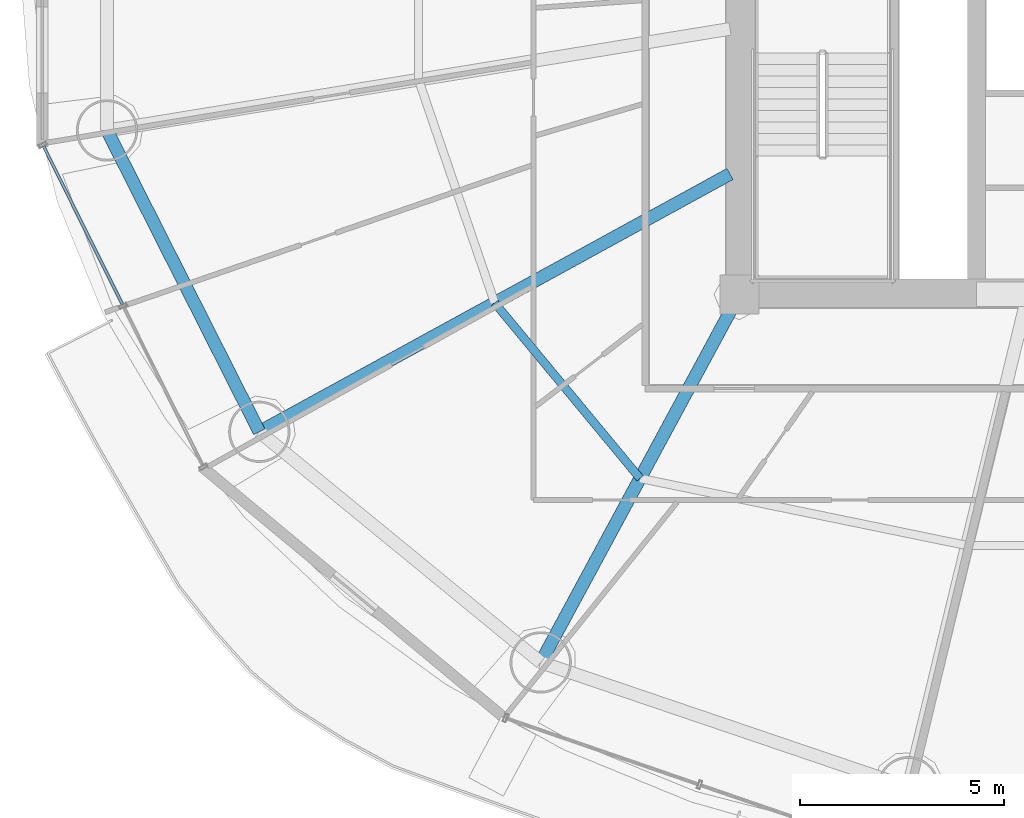
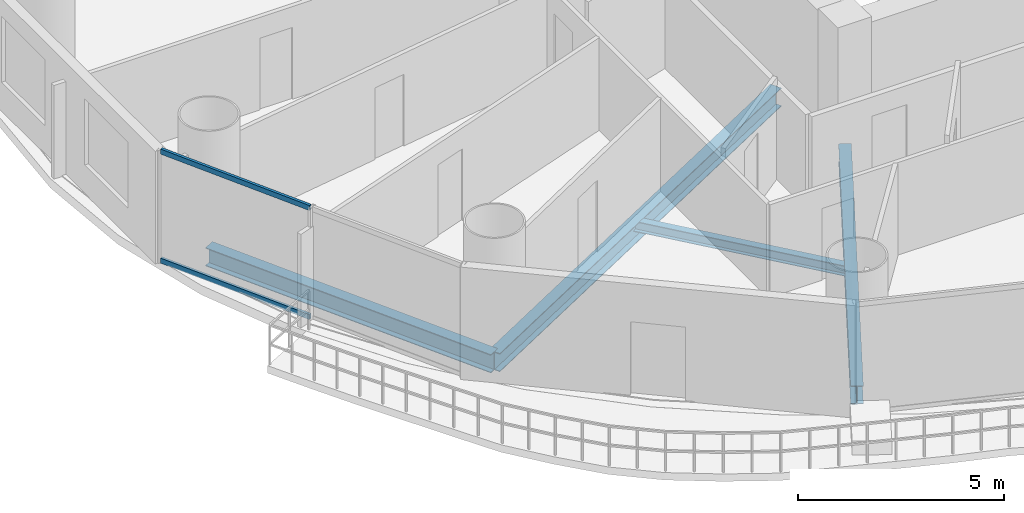
# One storey, part 3 of 29: 4 beams, 2 members, 1 element without a shape of its own.
"""IFC4 building model written with IfcOpenShell, lengths in metres."""

from ifc_helpers import new_model, si_unit, direction, frame, origin, origin_2d, place, context, subcontext, project, spatial, hollow_rectangle, i_section, extrude, source, transform, mapped, material, material_profile, profile_set, type_object, element, aggregate, save


model = new_model("IFC4")

# Units and contexts
model_context = context("Model", 3, precision=1e-05, world=origin(), true_north=direction((-0.2419218956, 0.970295726276)))
body_context = subcontext(model_context, "Body", "Model", "MODEL_VIEW")
ifc_project = project(units=[si_unit("LENGTHUNIT", "METRE"), si_unit("AREAUNIT", "SQUARE_METRE"), si_unit("VOLUMEUNIT", "CUBIC_METRE"), si_unit("PLANEANGLEUNIT", "RADIAN"), si_unit("MASSUNIT", "GRAM", prefix="KILO")], contexts=[model_context])

# Site, building, storey
site_placement = place(None, origin())
site = spatial("IfcSite", under=ifc_project, at=site_placement, CompositionType="ELEMENT")
building_placement = place(site_placement, origin())
building = spatial("IfcBuilding", under=site, at=building_placement, Name="Cobrevalo Terracotta Tower", CompositionType="ELEMENT")
storey_placement = place(building_placement, frame((0.0, 0.0, 94.199951171875)))
storey = spatial("IfcBuildingStorey", under=building, at=storey_placement, Name="L24", CompositionType="ELEMENT", Elevation=94.199951171875)

# Beams
ifc_material_1 = material(Name="Steel S355", Category="steel")
ifc_material_profile_1 = material_profile(ifc_material_1, i_section(OverallWidth=0.31201171875, OverallDepth=0.54296875, WebThickness=0.0126953125, FlangeThickness=0.020263671875, at=origin_2d()), Name="W 530x150")
ifc_profile_set_1 = profile_set([ifc_material_profile_1], Name="Steel S355")
beam_type_1 = type_object("IfcBeamType", Name="Structural Beam W 530x150 (Steel S355)", PredefinedType="BEAM", material=ifc_profile_set_1)
beam_1_placement = place(storey_placement, frame((17.2548828125, 15.4384765625, -0.54638671875), z_axis=(0.877072765004, 0.480357538599, 0.0), x_axis=(-0.480357538599, 0.877072765004, 0.0)))
element("IfcBeam", 1, at=beam_1_placement, inside=storey, type_object=beam_type_1, Name="L24 radial floor girder 10", PredefinedType="BEAM", context=body_context, shape_type="SweptSolid", body=[
    extrude(i_section(OverallWidth=0.31201171875, OverallDepth=0.54296875, WebThickness=0.0126953125, FlangeThickness=0.020263671875, at=origin_2d()), origin(), (0.0, 0.0, 1.0), 13.129150390625),
])
beam_2_placement = place(storey_placement, frame((24.138427734375, 9.79638671875, -0.54638671875), z_axis=(0.475118249298, 0.879921956303, 0.0), x_axis=(-0.879921956303, 0.475118249298, 0.0)))
element("IfcBeam", 2, at=beam_2_placement, inside=storey, type_object=beam_type_1, Name="L24 radial floor girder 11", PredefinedType="BEAM", context=body_context, shape_type="SweptSolid", body=[
    extrude(i_section(OverallWidth=0.31201171875, OverallDepth=0.54296875, WebThickness=0.0126953125, FlangeThickness=0.020263671875, at=origin_2d()), origin(), (0.0, 0.0, 1.0), 10.232421875),
])
ifc_material_profile_2 = material_profile(ifc_material_1, i_section(OverallWidth=0.2041015625, OverallDepth=0.305908203125, WebThickness=0.008544921875, FlangeThickness=0.0146484375, at=origin_2d()), Name="W 310x67")
ifc_profile_set_2 = profile_set([ifc_material_profile_2], Name="Steel S355")
beam_type_2 = type_object("IfcBeamType", Name="Structural Joist W 310x67 (Steel S355)", PredefinedType="JOIST", material=ifc_profile_set_2)
beam_3_placement = place(storey_placement, frame((23.012451171875, 18.591796875, -0.427978515625), z_axis=(0.6379592588, -0.77007011636, 0.0), x_axis=(0.77007011636, 0.6379592588, 0.0)))
element("IfcBeam", 3, at=beam_3_placement, inside=storey, type_object=beam_type_2, Name="L24 circumferential secondary floor joist 10", PredefinedType="JOIST", context=body_context, shape_type="SweptSolid", body=[
    extrude(i_section(OverallWidth=0.2041015625, OverallDepth=0.305908203125, WebThickness=0.008544921875, FlangeThickness=0.0146484375, at=origin_2d()), origin(), (0.0, 0.0, 1.0), 5.575439453125),
])
ifc_material_profile_3 = material_profile(ifc_material_1, i_section(OverallWidth=0.31201171875, OverallDepth=0.54296875, WebThickness=0.0126953125, FlangeThickness=0.020263671875, at=origin_2d()), Name="W 530x150")
ifc_profile_set_3 = profile_set([ifc_material_profile_3], Name="Steel S355")
beam_type_3 = type_object("IfcBeamType", Name="Structural Spandrel W 530x150 (Steel S355)", PredefinedType="SPANDREL", material=ifc_profile_set_3)
beam_4_placement = place(storey_placement, frame((13.529296875, 22.810302734375, -0.54638671875), z_axis=(0.451051982172, -0.892497680321, 0.0), x_axis=(0.892497680321, 0.451051982172, 0.0)))
element("IfcBeam", 4, at=beam_4_placement, inside=storey, type_object=beam_type_3, Name="L24 perimeter ring spandrel 09", PredefinedType="SPANDREL", context=body_context, shape_type="SweptSolid", body=[
    extrude(i_section(OverallWidth=0.31201171875, OverallDepth=0.54296875, WebThickness=0.0126953125, FlangeThickness=0.020263671875, at=origin_2d()), origin(), (0.0, 0.0, 1.0), 8.259765625),
])

# Curtain wall, members
ifc_material_2 = material(Name="Anodized aluminium", Category="aluminium")
curtain_wall_type = type_object("IfcCurtainWallType", Name="Lower-tower unitised acoustic low-E curtain wall CW-U1", PredefinedType="NOTDEFINED", material=ifc_material_2)
curtain_wall_placement = place(storey_placement, origin())
curtain_wall = element("IfcCurtainWall", 5, at=curtain_wall_placement, inside=storey, type_object=curtain_wall_type, Name="L24 curtain wall CW-L24-S09", PredefinedType="NOTDEFINED")
ifc_material_profile_4 = material_profile(ifc_material_2, hollow_rectangle(XDim=0.074951171875, YDim=0.14990234375, WallThickness=0.00439453125, at=origin_2d()), Name="CWT 75x150")
ifc_profile_set_4 = profile_set([ifc_material_profile_4], Name="Anodized aluminium")
member_type = type_object("IfcMemberType", Name="Tower unitised aluminium transom 75x150", PredefinedType="USERDEFINED", material=ifc_profile_set_4)
shared_shape = source(origin(), body_context, "Body", "SweptSolid", [
    extrude(hollow_rectangle(XDim=0.074951171875, YDim=0.14990234375, WallThickness=0.00439453125, at=origin_2d()), origin(), (0.0, 0.0, 1.0), 4.324951171875),
])
member_1_placement = place(storey_placement, frame((11.976318359375, 22.4228515625, 0.050048828125), z_axis=(0.446219838389, -0.894923379864, 0.0), x_axis=(0.894923379864, 0.446219838389, 0.0)))
member_1 = element("IfcMember", 6, at=member_1_placement, type_object=member_type, Name="CW-L24-S09 transom B01-T1", ObjectType="TRANSOM", PredefinedType="USERDEFINED", context=body_context, shape_type="MappedRepresentation", body=[
    mapped(shared_shape, transform((0.0, 0.0, 0.0), scale=1.0)),
])
member_2_placement = place(storey_placement, frame((11.976318359375, 22.4228515625, 3.275146484375), z_axis=(0.446219838389, -0.894923379864, 0.0), x_axis=(0.894923379864, 0.446219838389, 0.0)))
member_2 = element("IfcMember", 7, at=member_2_placement, type_object=member_type, Name="CW-L24-S09 transom B01-T2", ObjectType="TRANSOM", PredefinedType="USERDEFINED", context=body_context, shape_type="MappedRepresentation", body=[
    mapped(shared_shape, transform((0.0, 0.0, 0.0), scale=1.0)),
])
aggregate(curtain_wall, [member_1, member_2])

save(model, "model.ifc")
